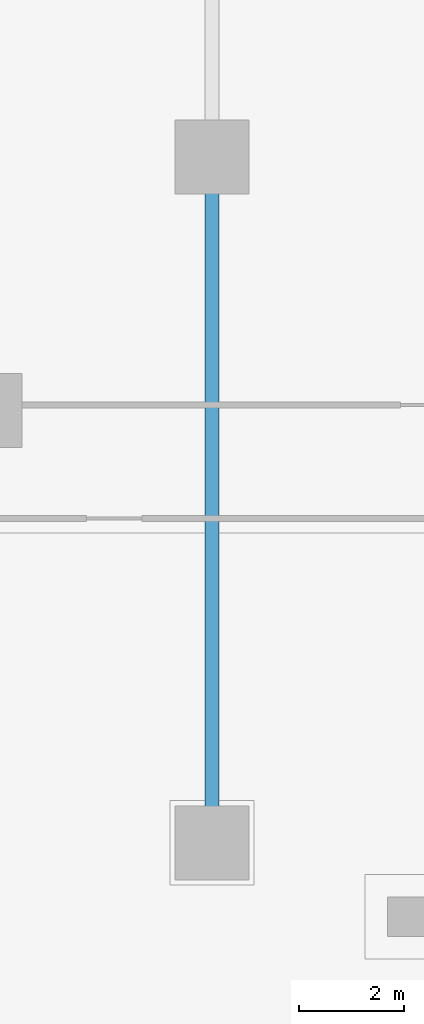
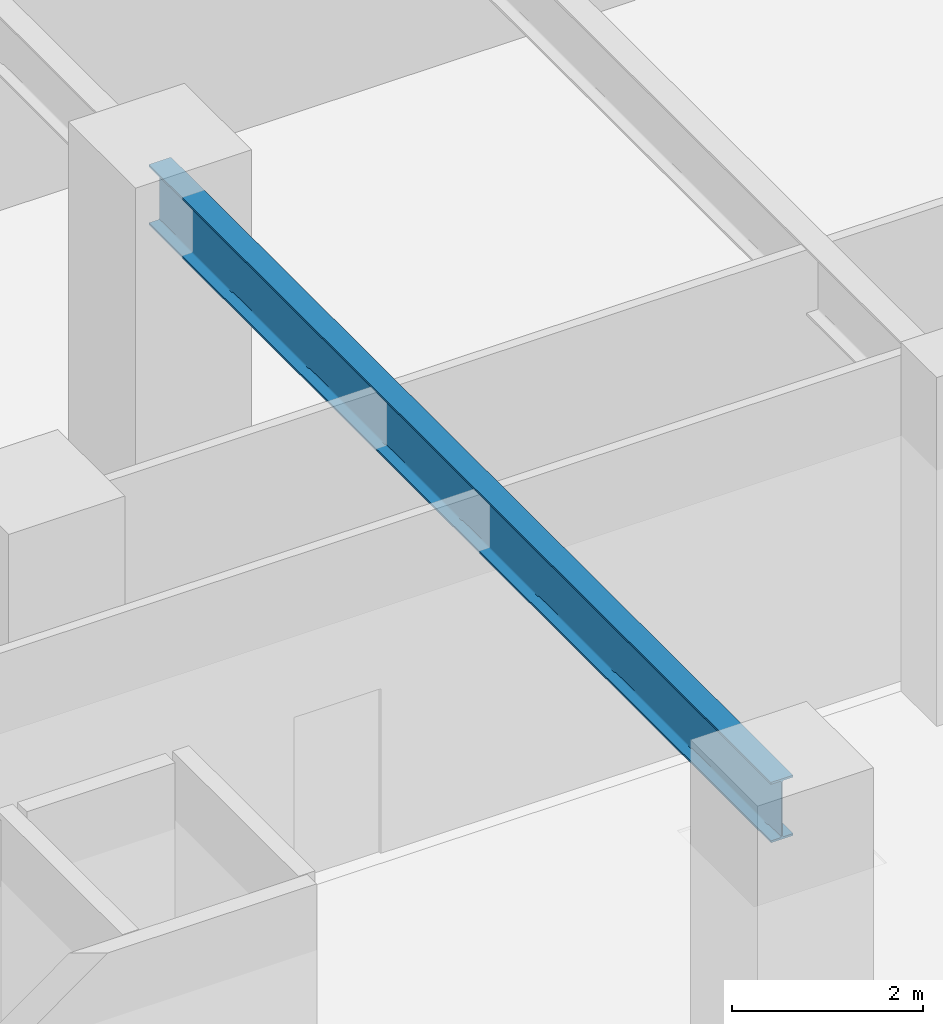
# One storey, part 3 of 25: 1 beam.
"""IFC4 building model written with IfcOpenShell, lengths in metres."""

from ifc_helpers import new_model, si_unit, direction, frame, origin, origin_2d, place, context, subcontext, project, spatial, i_section, extrude, material, material_profile, profile_set, type_object, element, save


model = new_model("IFC4")

# Units and contexts
model_context = context("Model", 3, precision=1e-05, world=origin(), true_north=direction((0.0, 1.0)))
body_context = subcontext(model_context, "Body", "Model", "MODEL_VIEW")
ifc_project = project(units=[si_unit("LENGTHUNIT", "METRE"), si_unit("AREAUNIT", "SQUARE_METRE"), si_unit("VOLUMEUNIT", "CUBIC_METRE"), si_unit("PLANEANGLEUNIT", "RADIAN"), si_unit("MASSUNIT", "GRAM", prefix="KILO")], contexts=[model_context])

# Site, building, storey
site_placement = place(None, origin())
site = spatial("IfcSite", under=ifc_project, at=site_placement, CompositionType="ELEMENT")
building_placement = place(site_placement, origin())
building = spatial("IfcBuilding", under=site, at=building_placement, Name="Thornwick Lancets Civic Towers", CompositionType="ELEMENT")
storey_placement = place(building_placement, frame((0.0, 0.0, 9.60009765625)))
storey = spatial("IfcBuildingStorey", under=building, at=storey_placement, Name="L02", CompositionType="ELEMENT", Elevation=9.60009765625)

# Beam
ifc_material = material(Name="Steel S355JR", Category="steel")
ifc_material_profile = material_profile(ifc_material, i_section(OverallWidth=0.26806640625, OverallDepth=0.769775390625, WebThickness=0.015625, FlangeThickness=0.025390625, FilletRadius=0.0166015625, at=origin_2d()), Name="UKB 762x267x197")
ifc_profile_set = profile_set([ifc_material_profile], Name="Steel S355JR")
beam_type = type_object("IfcBeamType", Name="BM_GIRD_762_197", PredefinedType="BEAM", material=ifc_profile_set)
beam_placement = place(storey_placement, frame((42.800048828125, 14.0, 3.794921875), z_axis=(0.0, 1.0, 0.0), x_axis=(-1.0, 0.0, 0.0)))
element("IfcBeam", 1, at=beam_placement, inside=storey, type_object=beam_type, Name="BM-SPINE-L02-A-3-4", PredefinedType="BEAM", context=body_context, shape_type="SweptSolid", body=[
    extrude(i_section(OverallWidth=0.26806640625, OverallDepth=0.769775390625, WebThickness=0.015625, FlangeThickness=0.025390625, FilletRadius=0.0166015625, at=origin_2d()), origin(), (0.0, 0.0, 1.0), 13.0),
])

save(model, "model.ifc")
